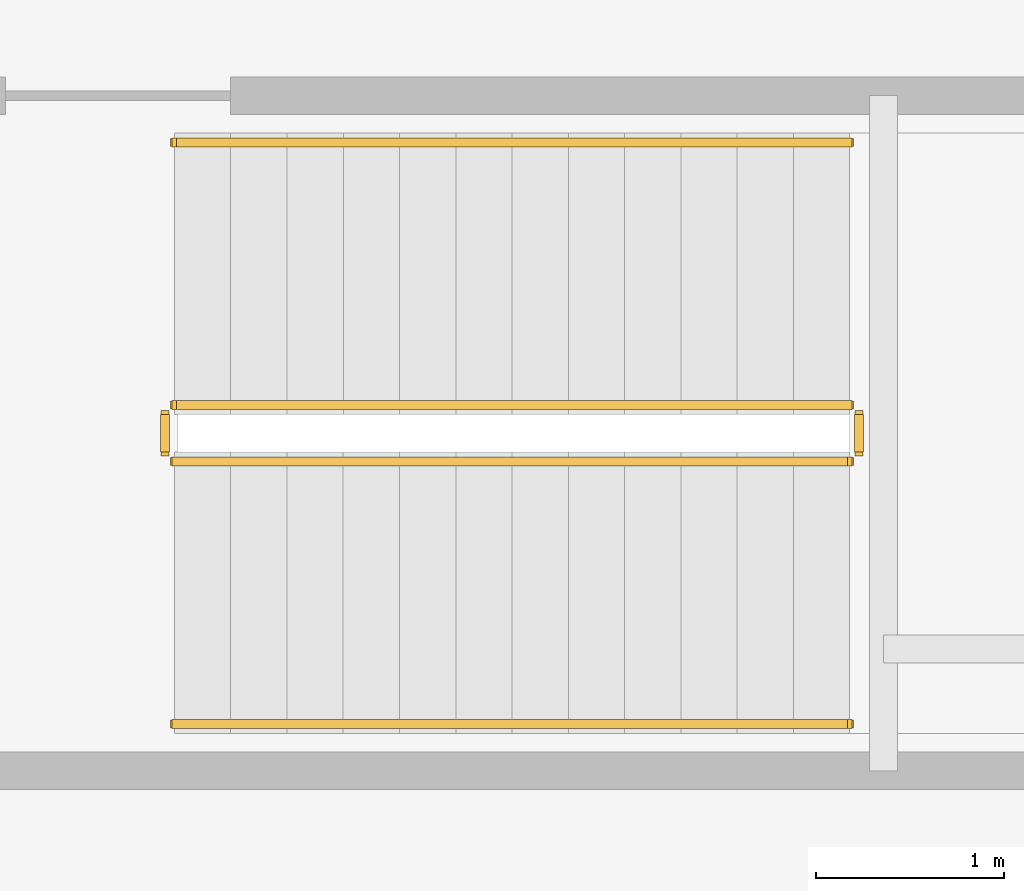
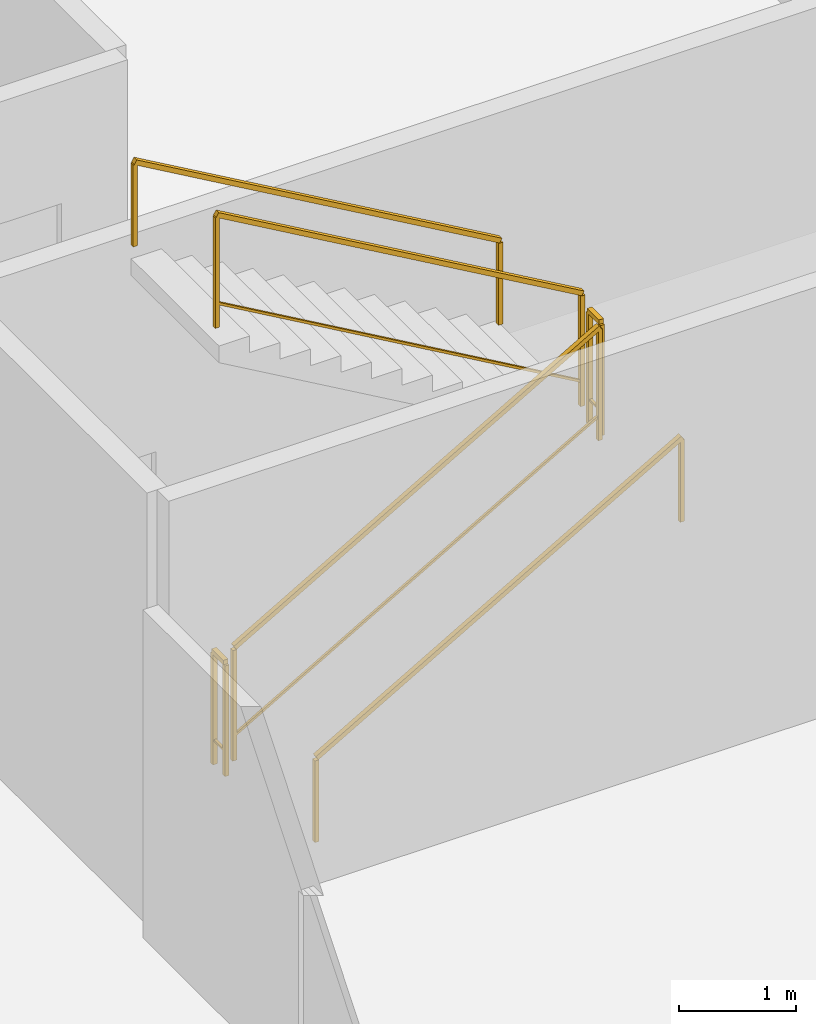
# One storey, part 16 of 16: 6 railings.
"""IFC4 building model written with IfcOpenShell, lengths in metres."""

from ifc_helpers import new_model, si_unit, direction, frame, origin, origin_2d, place, context, subcontext, project, spatial, rectangle, extrude, material, type_object, element, save


model = new_model("IFC4")

# Units and contexts
model_context = context("Model", 3, precision=1e-05, world=origin(), true_north=direction((0.0, 1.0)))
body_context = subcontext(model_context, "Body", "Model", "MODEL_VIEW")
ifc_project = project(units=[si_unit("LENGTHUNIT", "METRE"), si_unit("AREAUNIT", "SQUARE_METRE"), si_unit("VOLUMEUNIT", "CUBIC_METRE"), si_unit("PLANEANGLEUNIT", "RADIAN"), si_unit("MASSUNIT", "GRAM", prefix="KILO")], contexts=[model_context])

# Site, building, storey
site_placement = place(None, origin())
site = spatial("IfcSite", under=ifc_project, at=site_placement, CompositionType="ELEMENT")
building_placement = place(site_placement, origin())
building = spatial("IfcBuilding", under=site, at=building_placement, Name="Svetorya Sky Lyceum", CompositionType="ELEMENT")
storey_placement = place(building_placement, frame((0.0, 0.0, 11.10009765625)))
storey = spatial("IfcBuildingStorey", under=building, at=storey_placement, Name="L02", CompositionType="ELEMENT", Elevation=11.10009765625)

# Railings
ifc_material_1 = material(Name="Painted galvanized stair well guard")
railing_type_1 = type_object("IfcRailingType", Name="RL-STR-GUARD-1200", PredefinedType="GUARDRAIL", material=ifc_material_1)
railing_1_placement = place(storey_placement, frame((68.25, 24.25, 0.173095703125)))
element("IfcRailing", 1, at=railing_1_placement, inside=storey, type_object=railing_type_1, Name="L02 ST-SCH-E stair guard 1", PredefinedType="GUARDRAIL", context=body_context, shape_type="SweptSolid", body=[
    extrude(rectangle(XDim=0.048095703125, YDim=0.048095703125, at=origin_2d()), frame((0.0, 0.0, 1.17578125), z_axis=(0.866193409371, 0.0, 0.499708892819), x_axis=(0.0, 1.0, 0.0)), (0.0, 0.0, 1.0), 4.15625),
    extrude(rectangle(XDim=0.02392578125, YDim=0.02392578125, at=origin_2d()), frame((0.0, 0.0, 0.25), z_axis=(0.866193409371, 0.0, 0.499708892819), x_axis=(0.0, 1.0, 0.0)), (0.0, 0.0, 1.0), 4.15625),
    extrude(rectangle(XDim=0.0419921875, YDim=0.0419921875, at=origin_2d()), origin(), (0.0, 0.0, 1.0), 1.15185546875),
    extrude(rectangle(XDim=0.0419921875, YDim=0.0419921875, at=origin_2d()), frame((3.60009765625, 0.0, 2.076904296875)), (0.0, 0.0, 1.0), 1.15185546875),
])
railing_2_placement = place(storey_placement, frame((71.89990234375, 24.300048828125, 2.25)))
element("IfcRailing", 2, at=railing_2_placement, inside=storey, type_object=railing_type_1, Name="L02 ST-SCH-E stair guard 2", PredefinedType="GUARDRAIL", context=body_context, shape_type="SweptSolid", body=[
    extrude(rectangle(XDim=0.048095703125, YDim=0.048095703125, at=origin_2d()), frame((0.0, 0.0, 1.17578125), z_axis=(0.0, 1.0, 0.0), x_axis=(-1.0, 0.0, 0.0)), (0.0, 0.0, 1.0), 0.199951171875),
    extrude(rectangle(XDim=0.02392578125, YDim=0.02392578125, at=origin_2d()), frame((0.0, 0.0, 0.25), z_axis=(0.0, 1.0, 0.0), x_axis=(-1.0, 0.0, 0.0)), (0.0, 0.0, 1.0), 0.199951171875),
    extrude(rectangle(XDim=0.0419921875, YDim=0.0419921875, at=origin_2d()), origin(), (0.0, 0.0, 1.0), 1.15185546875),
    extrude(rectangle(XDim=0.0419921875, YDim=0.0419921875, at=origin_2d()), frame((0.0, 0.199951171875, 0.0)), (0.0, 0.0, 1.0), 1.15185546875),
])
railing_3_placement = place(storey_placement, frame((71.85009765625, 24.550048828125, 2.423095703125)))
element("IfcRailing", 3, at=railing_3_placement, inside=storey, type_object=railing_type_1, Name="L02 ST-SCH-E stair guard 3", PredefinedType="GUARDRAIL", context=body_context, shape_type="SweptSolid", body=[
    extrude(rectangle(XDim=0.048095703125, YDim=0.048095703125, at=origin_2d()), frame((0.0, 0.0, 1.17578125), z_axis=(-0.866193409371, 0.0, 0.499708892819), x_axis=(0.0, -1.0, 0.0)), (0.0, 0.0, 1.0), 4.15625),
    extrude(rectangle(XDim=0.02392578125, YDim=0.02392578125, at=origin_2d()), frame((0.0, 0.0, 0.25), z_axis=(-0.866193409371, 0.0, 0.499708892819), x_axis=(0.0, -1.0, 0.0)), (0.0, 0.0, 1.0), 4.15625),
    extrude(rectangle(XDim=0.0419921875, YDim=0.0419921875, at=origin_2d()), origin(), (0.0, 0.0, 1.0), 1.15185546875),
    extrude(rectangle(XDim=0.0419921875, YDim=0.0419921875, at=origin_2d()), frame((-3.60009765625, 0.0, 2.076904296875)), (0.0, 0.0, 1.0), 1.15185546875),
])
railing_4_placement = place(storey_placement, frame((68.199951171875, 24.300048828125, 0.0)))
element("IfcRailing", 4, at=railing_4_placement, inside=storey, type_object=railing_type_1, Name="L02 ST-SCH-E stair guard 4", PredefinedType="GUARDRAIL", context=body_context, shape_type="SweptSolid", body=[
    extrude(rectangle(XDim=0.048095703125, YDim=0.048095703125, at=origin_2d()), frame((0.0, 0.0, 1.17578125), z_axis=(0.0, 1.0, 0.0), x_axis=(-1.0, 0.0, 0.0)), (0.0, 0.0, 1.0), 0.199951171875),
    extrude(rectangle(XDim=0.02392578125, YDim=0.02392578125, at=origin_2d()), frame((0.0, 0.0, 0.25), z_axis=(0.0, 1.0, 0.0), x_axis=(-1.0, 0.0, 0.0)), (0.0, 0.0, 1.0), 0.199951171875),
    extrude(rectangle(XDim=0.0419921875, YDim=0.0419921875, at=origin_2d()), origin(), (0.0, 0.0, 1.0), 1.15185546875),
    extrude(rectangle(XDim=0.0419921875, YDim=0.0419921875, at=origin_2d()), frame((0.0, 0.199951171875, 0.0)), (0.0, 0.0, 1.0), 1.15185546875),
])
ifc_material_2 = material(Name="Brushed stainless AISI 304 stair handrail")
railing_type_2 = type_object("IfcRailingType", Name="RL-STR-HAND-920", PredefinedType="HANDRAIL", material=ifc_material_2)
railing_5_placement = place(storey_placement, frame((68.25, 22.85009765625, 0.173095703125)))
element("IfcRailing", 5, at=railing_5_placement, inside=storey, type_object=railing_type_2, Name="L02 ST-SCH-E stair handrail 1", PredefinedType="HANDRAIL", context=body_context, shape_type="SweptSolid", body=[
    extrude(rectangle(XDim=0.048095703125, YDim=0.048095703125, at=origin_2d()), frame((0.0, 0.0, 0.8759765625), z_axis=(0.866193409371, 0.0, 0.499708892819), x_axis=(0.0, 1.0, 0.0)), (0.0, 0.0, 1.0), 4.15625),
    extrude(rectangle(XDim=0.0419921875, YDim=0.0419921875, at=origin_2d()), origin(), (0.0, 0.0, 1.0), 0.851806640625),
    extrude(rectangle(XDim=0.0419921875, YDim=0.0419921875, at=origin_2d()), frame((3.60009765625, 0.0, 2.076904296875)), (0.0, 0.0, 1.0), 0.851806640625),
])
railing_6_placement = place(storey_placement, frame((71.85009765625, 25.949951171875, 2.423095703125)))
element("IfcRailing", 6, at=railing_6_placement, inside=storey, type_object=railing_type_2, Name="L02 ST-SCH-E stair handrail 2", PredefinedType="HANDRAIL", context=body_context, shape_type="SweptSolid", body=[
    extrude(rectangle(XDim=0.048095703125, YDim=0.048095703125, at=origin_2d()), frame((0.0, 0.0, 0.8759765625), z_axis=(-0.866193409371, 0.0, 0.499708892819), x_axis=(0.0, -1.0, 0.0)), (0.0, 0.0, 1.0), 4.15625),
    extrude(rectangle(XDim=0.0419921875, YDim=0.0419921875, at=origin_2d()), origin(), (0.0, 0.0, 1.0), 0.851806640625),
    extrude(rectangle(XDim=0.0419921875, YDim=0.0419921875, at=origin_2d()), frame((-3.60009765625, 0.0, 2.076904296875)), (0.0, 0.0, 1.0), 0.851806640625),
])

save(model, "model.ifc")
